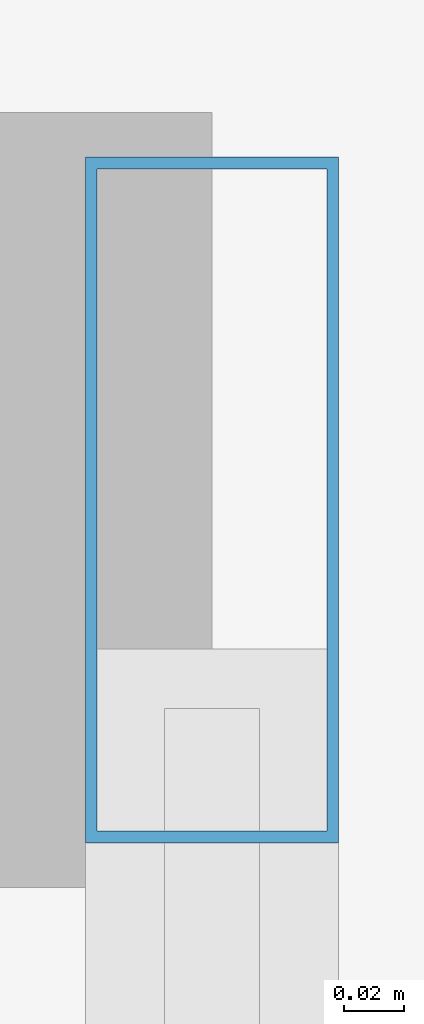
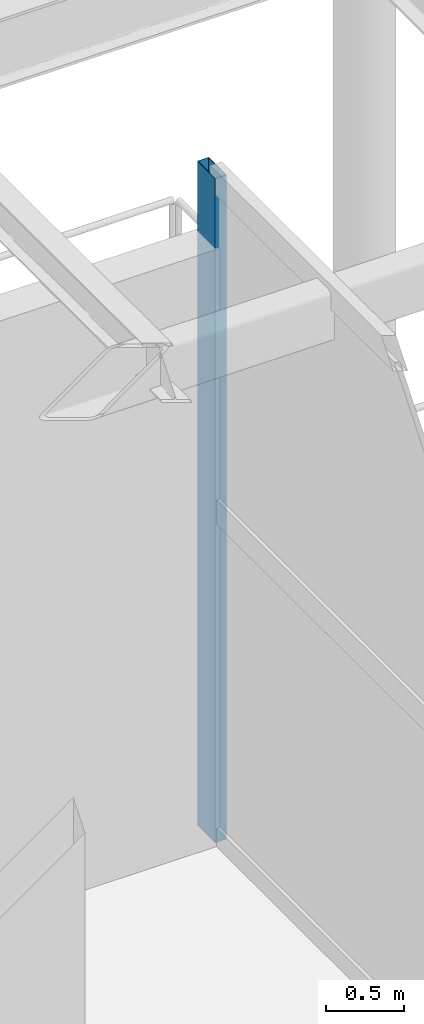
# One storey, part 11 of 16: 1 member, 1 element without a shape of its own.
"""IFC4 building model written with IfcOpenShell, lengths in metres."""

import ifcopenshell
import ifcopenshell.guid

model = None  # the IFC model being written
_history = None  # IfcOwnerHistory: only IFC2X3 demands one
_inside = {}  # id of a spatial element -> (the spatial element, [elements in it])
_under = {}  # id of a project, library or spatial element -> (it, [spatial elements below it])
_declared = {}  # id of a project -> (the project, [libraries it declares])
_typed = {}  # id of a type object -> (the type object, [elements of that type])
_made_of = {}  # id of a material, layer set ... -> (it, [elements and type objects made of it])


def new_model(schema):
    """Start an empty IFC model of exactly this schema.

    Asked for "IFC4X3", IfcOpenShell would pick the latest addendum, in which some entities
    have other attributes; the version numbers below select the first issue.
    IFC2X3 requires an IfcOwnerHistory on every rooted entity: one is made here for all.
    """
    global model, _history
    if schema == "IFC4X3":
        model = ifcopenshell.file(schema_version=(4, 3, 0, 0))
    else:
        model = ifcopenshell.file(schema=schema)
    _inside.clear()
    _under.clear()
    _declared.clear()
    _typed.clear()
    _made_of.clear()
    _history = None
    if model.schema == "IFC2X3":
        org = make("IfcOrganization", Name="unknown")
        user = make(
            "IfcPersonAndOrganization",
            ThePerson=make("IfcPerson", FamilyName="unknown"),
            TheOrganization=org,
        )
        app = make(
            "IfcApplication",
            ApplicationDeveloper=org,
            Version="unknown",
            ApplicationFullName="unknown",
            ApplicationIdentifier="unknown",
        )
        _history = make(
            "IfcOwnerHistory",
            OwningUser=user,
            OwningApplication=app,
            ChangeAction="ADDED",
            CreationDate=0,
        )
    return model


def make(cls, **values):
    """One entity of the class cls with the attributes given. An attribute that is None is left unset."""
    return model.create_entity(
        cls, **{name: value for name, value in values.items() if value is not None}
    )


def rooted(cls, **values):
    """An entity with a GlobalId (a new one), such as an element, a storey or a relation."""
    return make(cls, GlobalId=ifcopenshell.guid.new(), OwnerHistory=_history, **values)


def si_unit(unit_type, name, prefix=None):
    """IfcSIUnit, for example si_unit("LENGTHUNIT", "METRE", prefix="MILLI")."""
    return make("IfcSIUnit", UnitType=unit_type, Prefix=prefix, Name=name)


def assignment(units):
    """IfcUnitAssignment: the units of a project."""
    return None if units is None else make("IfcUnitAssignment", Units=units)


def point(xyz):
    """IfcCartesianPoint."""
    return None if xyz is None else make("IfcCartesianPoint", Coordinates=xyz)


def direction(xyz):
    """IfcDirection."""
    return None if xyz is None else make("IfcDirection", DirectionRatios=xyz)


def frame(location, z_axis=None, x_axis=None):
    """IfcAxis2Placement3D, a coordinate frame: its origin and axes. An axis left out is left unset."""
    return make(
        "IfcAxis2Placement3D",
        Location=point(location),
        Axis=direction(z_axis),
        RefDirection=direction(x_axis),
    )


def frame_2d(location, x_axis=None):
    """IfcAxis2Placement2D, a coordinate frame in the plane: its origin and x axis."""
    return make(
        "IfcAxis2Placement2D", Location=point(location), RefDirection=direction(x_axis)
    )


def origin():
    """The frame at (0, 0, 0) with its axes left unset."""
    return frame((0.0, 0.0, 0.0))


def origin_2d():
    """The frame at (0, 0) in the plane with its x axis left unset."""
    return frame_2d((0.0, 0.0))


def place(relative_to, where):
    """IfcLocalPlacement: puts the frame where relative to a parent placement (None: the world)."""
    return make(
        "IfcLocalPlacement", PlacementRelTo=relative_to, RelativePlacement=where
    )


def context(
    kind, dimensions, precision=None, world=None, true_north=None, identifier=None
):
    """IfcGeometricRepresentationContext, for example the 3D "Model" context."""
    return make(
        "IfcGeometricRepresentationContext",
        ContextIdentifier=identifier,
        ContextType=kind,
        CoordinateSpaceDimension=dimensions,
        Precision=precision,
        WorldCoordinateSystem=world,
        TrueNorth=true_north,
    )


def subcontext(parent, identifier, kind, view, scale=None):
    """IfcGeometricRepresentationSubContext, for example "Body" below "Model"."""
    return make(
        "IfcGeometricRepresentationSubContext",
        ContextIdentifier=identifier,
        ContextType=kind,
        ParentContext=parent,
        TargetScale=scale,
        TargetView=view,
    )


def project(units=None, contexts=None):
    """IfcProject with its units and contexts."""
    return rooted(
        "IfcProject",
        Name="project",
        RepresentationContexts=contexts,
        UnitsInContext=assignment(units),
    )


def spatial(cls, under=None, at=None, **own):
    """A site, building, storey or space (cls), placed at a placement, below another one or the project."""
    s = rooted(cls, ObjectPlacement=at, **own)
    if under is not None:
        _under.setdefault(under.id(), (under, []))[1].append(s)
    return s


def profile(cls, at=None, kind="AREA", **sizes):
    """A parametric profile (cls). Its sizes go by their IFC names, for example OverallWidth=200.0."""
    return make(cls, ProfileType=kind, Position=at, **sizes)


def hollow_rectangle(**sizes):
    """IfcRectangleHollowProfileDef."""
    return profile("IfcRectangleHollowProfileDef", **sizes)


def extrude(swept, where, along, depth):
    """IfcExtrudedAreaSolid: the profile swept, set in the frame where, extruded along a direction by depth."""
    return make(
        "IfcExtrudedAreaSolid",
        SweptArea=swept,
        Position=where,
        ExtrudedDirection=direction(along),
        Depth=depth,
    )


def shape(context_of_items, identifier, shape_type, items):
    """IfcShapeRepresentation: the items that make up one representation, for example the "Body"."""
    return make(
        "IfcShapeRepresentation",
        ContextOfItems=context_of_items,
        RepresentationIdentifier=identifier,
        RepresentationType=shape_type,
        Items=items,
    )


def material(Name=None, Category=None):
    """IfcMaterial."""
    return make("IfcMaterial", Name=Name, Category=Category)


def material_profile(
    of_material, cross_section, Name=None, Category=None, Priority=None
):
    """IfcMaterialProfile: a cross section and its material."""
    return make(
        "IfcMaterialProfile",
        Name=Name,
        Material=of_material,
        Profile=cross_section,
        Priority=Priority,
        Category=Category,
    )


def profile_set(profiles, Name=None, composite=None):
    """IfcMaterialProfileSet."""
    return make(
        "IfcMaterialProfileSet",
        Name=Name,
        MaterialProfiles=profiles,
        CompositeProfile=composite,
    )


def made_of(thing, what):
    """Note that an element or type object is made of a material, layer set ...; save() writes the relation."""
    if what is not None:
        _made_of.setdefault(what.id(), (what, []))[1].append(thing)
    return thing


def type_object(cls, material=None, **own):
    """A type object (cls), such as IfcWallType, which elements share."""
    return made_of(rooted(cls, **own), material)


def element(
    cls,
    number,
    at=None,
    inside=None,
    cuts=None,
    type_object=None,
    material=None,
    context=None,
    identifier="Body",
    shape_type=None,
    held_by="IfcProductDefinitionShape",
    body=None,
    shapes=None,
    **own,
):
    """One element of the class cls, such as IfcWall. Its Tag is "e" and its number.

    at: its placement. inside: the storey or other place that contains it. cuts: it is an
    opening in that element (IfcRelVoidsElement). A single representation is given by context,
    identifier, shape_type and body (its items); several are given by shapes. held_by: the class
    of the entity that holds the representations. save() writes the other relations.
    """
    e = rooted(cls, Tag="e%d" % number, ObjectPlacement=at, **own)
    if body is not None:
        shapes = [shape(context, identifier, shape_type, body)]
    if shapes is not None:
        e.Representation = make(held_by, Representations=shapes)
    if inside is not None:
        _inside.setdefault(inside.id(), (inside, []))[1].append(e)
    if cuts is not None:
        rooted(
            "IfcRelVoidsElement", RelatingBuildingElement=cuts, RelatedOpeningElement=e
        )
    if type_object is not None:
        _typed.setdefault(type_object.id(), (type_object, []))[1].append(e)
    return made_of(e, material)


def aggregate(whole, parts):
    """IfcRelAggregates: a whole, such as a stair, and the parts it consists of."""
    return rooted("IfcRelAggregates", RelatingObject=whole, RelatedObjects=parts)


def save(model, path):
    """Write the relations noted so far, then the file.

    IfcRelAggregates (storeys below a building ...), IfcRelContainedInSpatialStructure (elements
    in a storey), IfcRelDefinesByType, IfcRelAssociatesMaterial and IfcRelDeclares: one each for
    every whole, place, type object, material and project.
    """
    for whole, parts in _under.values():
        aggregate(whole, parts)
    for where, things in _inside.values():
        rooted(
            "IfcRelContainedInSpatialStructure",
            RelatedElements=things,
            RelatingStructure=where,
        )
    for kind, things in _typed.values():
        rooted("IfcRelDefinesByType", RelatedObjects=things, RelatingType=kind)
    for what, things in _made_of.values():
        rooted("IfcRelAssociatesMaterial", RelatedObjects=things, RelatingMaterial=what)
    for by, libraries in _declared.values():
        rooted("IfcRelDeclares", RelatingContext=by, RelatedDefinitions=libraries)
    model.write(path)


model = new_model("IFC4")

# Units and contexts
model_context = context("Model", 3, precision=1e-05, world=origin(), true_north=direction((0.0, 1.0)))
body_context = subcontext(model_context, "Body", "Model", "MODEL_VIEW")
ifc_project = project(units=[si_unit("LENGTHUNIT", "METRE"), si_unit("AREAUNIT", "SQUARE_METRE"), si_unit("VOLUMEUNIT", "CUBIC_METRE"), si_unit("PLANEANGLEUNIT", "RADIAN"), si_unit("MASSUNIT", "GRAM", prefix="KILO")], contexts=[model_context])

# Site, building, storey
site_placement = place(None, origin())
site = spatial("IfcSite", under=ifc_project, at=site_placement, CompositionType="ELEMENT")
building_placement = place(site_placement, origin())
building = spatial("IfcBuilding", under=site, at=building_placement, Name="Kovane Verandah Tower", CompositionType="ELEMENT")
storey_placement = place(building_placement, frame((0.0, 0.0, 354.300048828125)))
storey = spatial("IfcBuildingStorey", under=building, at=storey_placement, Name="L82", CompositionType="ELEMENT", Elevation=354.300048828125)

# Curtain wall, member
ifc_material_1 = material(Name="Champagne Anodised Aluminium Frame with Low-E Clear Laminated Glass", Category="aluminium")
curtain_wall_type = type_object("IfcCurtainWallType", Name="CW-SYS-06-CROWN", PredefinedType="NOTDEFINED", material=ifc_material_1)
curtain_wall_placement = place(storey_placement, origin())
curtain_wall = element("IfcCurtainWall", 1, at=curtain_wall_placement, inside=storey, type_object=curtain_wall_type, Name="L82 Crown Enclosure Curtain Wall E", PredefinedType="NOTDEFINED")
ifc_material_2 = material(Name="Champagne Anodised Aluminium 6063-T6", Category="aluminium")
ifc_material_profile = material_profile(ifc_material_2, hollow_rectangle(XDim=0.0849609375, YDim=0.22998046875, WallThickness=0.00390625, at=origin_2d()), Name="AL85x230x4")
ifc_profile_set = profile_set([ifc_material_profile], Name="Champagne Anodised Aluminium 6063-T6")
member_type = type_object("IfcMemberType", Name="CW-MUL-85x230", PredefinedType="MULLION", material=ifc_profile_set)
member_placement = place(storey_placement, frame((56.0, 42.0, 0.02001953125), z_axis=(0.0, 0.0, 1.0), x_axis=(1.0, 0.0, 0.0)))
member = element("IfcMember", 2, at=member_placement, type_object=member_type, Name="L82 Crown Enclosure Curtain Wall E Mullion 6", PredefinedType="MULLION", context=body_context, shape_type="SweptSolid", body=[
    extrude(hollow_rectangle(XDim=0.0849609375, YDim=0.22998046875, WallThickness=0.00390625, at=origin_2d()), origin(), (0.0, 0.0, 1.0), 5.199951171875),
])
aggregate(curtain_wall, [member])

save(model, "model.ifc")
